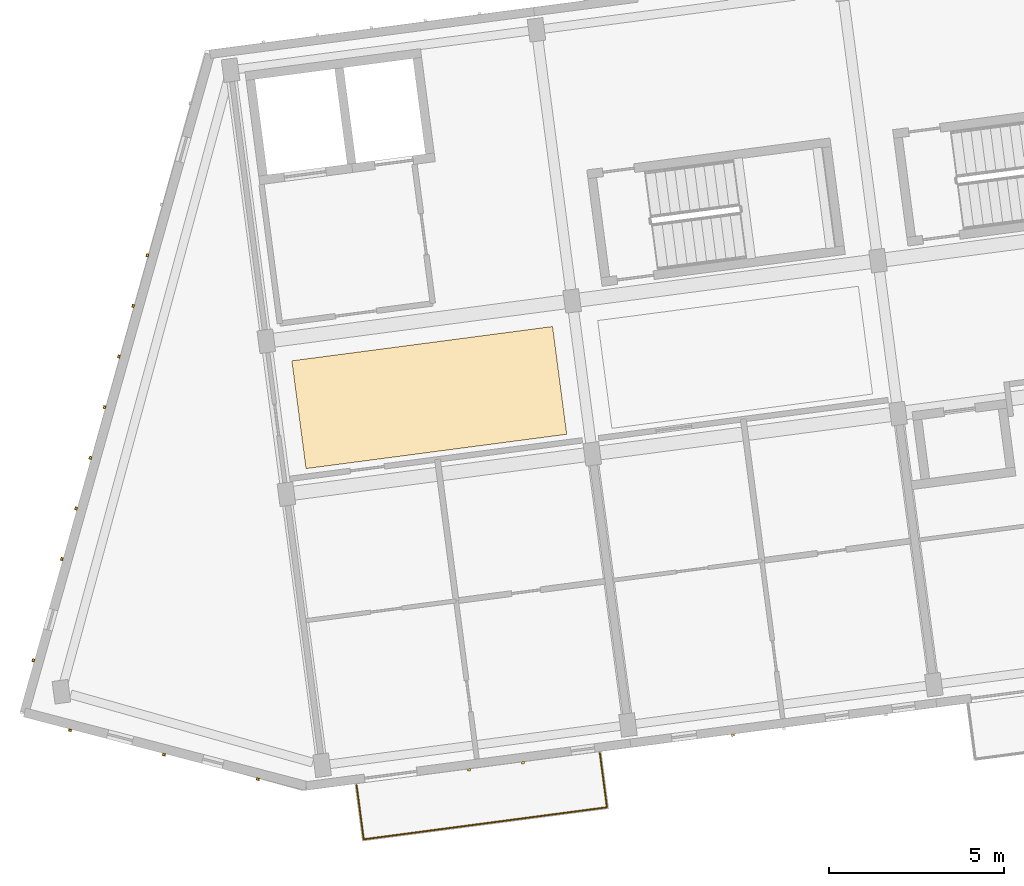
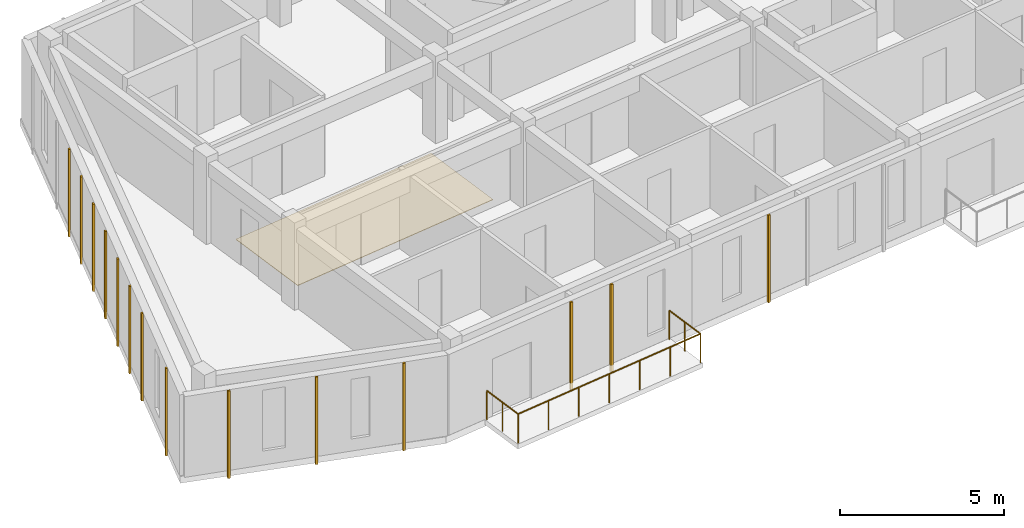
# One storey, part 10 of 16: 15 coverings, 1 railing.
"""IFC4 building model written with IfcOpenShell, lengths in metres."""

from ifc_helpers import new_model, si_unit, direction, frame, origin, origin_2d, place, context, subcontext, project, spatial, polyline, rectangle, circle, outline, extrude, material, layer, layer_set, type_object, element, save


model = new_model("IFC4")

# Units and contexts
model_context = context("Model", 3, precision=1e-05, world=origin(), true_north=direction((0.0, 1.0)))
body_context = subcontext(model_context, "Body", "Model", "MODEL_VIEW")
ifc_project = project(units=[si_unit("LENGTHUNIT", "METRE"), si_unit("AREAUNIT", "SQUARE_METRE"), si_unit("VOLUMEUNIT", "CUBIC_METRE"), si_unit("PLANEANGLEUNIT", "RADIAN"), si_unit("MASSUNIT", "GRAM", prefix="KILO")], contexts=[model_context])

# Site, building, storey
site_placement = place(None, origin())
site = spatial("IfcSite", under=ifc_project, at=site_placement, CompositionType="ELEMENT")
building_placement = place(site_placement, origin())
building = spatial("IfcBuilding", under=site, at=building_placement, Name="Kestramere Prow Commons", CompositionType="ELEMENT")
storey_placement = place(building_placement, frame((0.0, 0.0, 40.89990234375)))
storey = spatial("IfcBuildingStorey", under=building, at=storey_placement, Name="L12", CompositionType="ELEMENT", Elevation=40.89990234375)

# Coverings
ifc_material_1 = material(Name="Weathered Zinc-Titanium Standing-Seam Cladding")
ifc_layer_1 = layer(ifc_material_1, 0.074951171875)
ifc_layer_set_1 = layer_set([ifc_layer_1], Name="Weathered Zinc-Titanium Standing-Seam Cladding")
covering_type_1 = type_object("IfcCoveringType", Name="COV-CLAD-SEAM", PredefinedType="CLADDING", material=ifc_layer_set_1)
for number, where, z_axis, x_axis, name in (
    (1, (16.931396484375, 72.0712890625, -0.25), (0.0, 0.0, 1.0), (-0.991444861374, -0.13052619222, 0.0), "EW-A-L12-S-0 Standing-Seam Rib 2"),
    (2, (15.390625, 71.868408203125, -0.25), (0.0, 0.0, 1.0), (-0.991444861374, -0.13052619222, 0.0), "EW-A-L12-S-0 Standing-Seam Rib 3"),
    (3, (22.92138671875, 72.85986328125, -0.25), (0.0, 0.0, 1.0), (-0.991444861374, -0.13052619222, 0.0), "EW-A-L12-S-1 Standing-Seam Rib 4"),
    (4, (9.367431640625, 71.602783203125, -0.25), (0.0, 0.0, 1.0), (-0.96769817096, 0.252111582281, 0.0), "EW-A-L12-PRW-S Standing-Seam Rib 1"),
    (5, (6.6884765625, 72.300537109375, -0.25), (0.0, 0.0, 1.0), (-0.96769817096, 0.252111582281, 0.0), "EW-A-L12-PRW-S Standing-Seam Rib 3"),
    (6, (4.009521484375, 72.99853515625, -0.25), (0.0, 0.0, 1.0), (-0.96769817096, 0.252111582281, 0.0), "EW-A-L12-PRW-S Standing-Seam Rib 5"),
    (7, (2.96142578125, 74.9931640625, -0.25), (0.0, 0.0, 1.0), (0.271159911526, 0.962534312314, 0.0), "EW-A-L12-PRW-N Standing-Seam Rib 1"),
    (8, (3.775146484375, 77.8818359375, -0.25), (0.0, 0.0, 1.0), (0.271159911526, 0.962534312314, 0.0), "EW-A-L12-PRW-N Standing-Seam Rib 3"),
    (9, (4.18212890625, 79.326171875, -0.25), (0.0, 0.0, 1.0), (0.271159911526, 0.962534312314, 0.0), "EW-A-L12-PRW-N Standing-Seam Rib 4"),
    (10, (4.5888671875, 80.7705078125, -0.25), (0.0, 0.0, 1.0), (0.271159911526, 0.962534312314, 0.0), "EW-A-L12-PRW-N Standing-Seam Rib 5"),
    (11, (4.995849609375, 82.21484375, -0.25), (0.0, 0.0, 1.0), (0.271159911526, 0.962534312314, 0.0), "EW-A-L12-PRW-N Standing-Seam Rib 6"),
    (12, (5.40283203125, 83.6591796875, -0.25), (0.0, 0.0, 1.0), (0.271159911526, 0.962534312314, 0.0), "EW-A-L12-PRW-N Standing-Seam Rib 7"),
    (13, (5.8095703125, 85.103271484375, -0.25), (0.0, 0.0, 1.0), (0.271159911526, 0.962534312314, 0.0), "EW-A-L12-PRW-N Standing-Seam Rib 8"),
    (14, (6.216552734375, 86.547607421875, -0.25), (0.0, 0.0, 1.0), (0.271159911526, 0.962534312314, 0.0), "EW-A-L12-PRW-N Standing-Seam Rib 9"),
):
    element("IfcCovering", number, at=place(storey_placement, frame(where, z_axis=z_axis, x_axis=x_axis)), inside=storey, type_object=covering_type_1, Name=name, PredefinedType="CLADDING", context=body_context, shape_type="SweptSolid", body=[
        extrude(rectangle(XDim=0.0849609375, YDim=0.06494140625, at=origin_2d()), origin(), (0.0, 0.0, 1.0), 3.25),
    ])
ifc_material_2 = material(Name="Honed Cementitious Terrazzo Tile")
ifc_layer_2 = layer(ifc_material_2, 0.02001953125)
ifc_layer_set_2 = layer_set([ifc_layer_2], Name="Honed Cementitious Terrazzo Tile")
covering_type_2 = type_object("IfcCoveringType", Name="COV-FLOOR-TERRAZZO", PredefinedType="FLOORING", material=ifc_layer_set_2)
covering_placement = place(storey_placement, origin())
element("IfcCovering", 15, at=covering_placement, inside=storey, type_object=covering_type_2, Name="Block A L12 Corridor Terrazzo Flooring 1", PredefinedType="FLOORING", context=body_context, shape_type="SweptSolid", body=[
    extrude(outline(polyline([(10.741455078125, 80.462646484375), (18.17724609375, 81.44140625), (17.772705078125, 84.514892578125), (10.3369140625, 83.5361328125), (10.741455078125, 80.462646484375)])), origin(), (0.0, 0.0, 1.0), 0.02001953125),
])

# Railing
ifc_material_3 = material(Name="Powder-Coated Aluminium 6063-T6", Category="aluminium")
railing_type = type_object("IfcRailingType", Name="GRD-BALC-1100", PredefinedType="BALUSTRADE", material=ifc_material_3)
railing_placement = place(storey_placement, frame((12.182373046875, 71.433349609375, 0.0)))
element("IfcRailing", 16, at=railing_placement, inside=storey, type_object=railing_type, Name="Block A L12 Balcony Guardrail 1", PredefinedType="BALUSTRADE", context=body_context, shape_type="SweptSolid", body=[
    extrude(circle(Radius=0.02392578125, at=origin_2d()), frame((0.0, 0.0, 1.076171875), z_axis=(0.130523335136, -0.991445237512, 0.0), x_axis=(0.991445237512, 0.130523335136, 0.0)), (0.0, 0.0, 1.0), 1.56005859375),
    extrude(circle(Radius=0.02392578125, at=origin_2d()), frame((0.20361328125, -1.546630859375, 1.076171875), z_axis=(0.991447052715, 0.13050954625, 0.0), x_axis=(-0.13050954625, 0.991447052715, 0.0)), (0.0, 0.0, 1.0), 7.0),
    extrude(circle(Radius=0.02392578125, at=origin_2d()), frame((7.143798828125, -0.633056640625, 1.076171875), z_axis=(-0.130503085734, 0.991447903127, 0.0), x_axis=(-0.991447903127, -0.130503085734, 0.0)), (0.0, 0.0, 1.0), 1.560302734375),
    extrude(circle(Radius=0.02099609375, at=origin_2d()), origin(), (0.0, 0.0, 1.0), 1.052001953125),
    extrude(circle(Radius=0.02099609375, at=origin_2d()), frame((0.101806640625, -0.7734375, 0.0)), (0.0, 0.0, 1.0), 1.052001953125),
    extrude(circle(Radius=0.02099609375, at=origin_2d()), frame((0.20361328125, -1.546630859375, 0.0)), (0.0, 0.0, 1.0), 1.052001953125),
    extrude(circle(Radius=0.02099609375, at=origin_2d()), frame((1.3603515625, -1.394287109375, 0.0)), (0.0, 0.0, 1.0), 1.052001953125),
    extrude(circle(Radius=0.02099609375, at=origin_2d()), frame((2.51708984375, -1.2421875, 0.0)), (0.0, 0.0, 1.0), 1.052001953125),
    extrude(circle(Radius=0.02099609375, at=origin_2d()), frame((3.673828125, -1.08984375, 0.0)), (0.0, 0.0, 1.0), 1.052001953125),
    extrude(circle(Radius=0.02099609375, at=origin_2d()), frame((4.830322265625, -0.9375, 0.0)), (0.0, 0.0, 1.0), 1.052001953125),
    extrude(circle(Radius=0.02099609375, at=origin_2d()), frame((5.987060546875, -0.785400390625, 0.0)), (0.0, 0.0, 1.0), 1.052001953125),
    extrude(circle(Radius=0.02099609375, at=origin_2d()), frame((7.143798828125, -0.633056640625, 0.0)), (0.0, 0.0, 1.0), 1.052001953125),
    extrude(circle(Radius=0.02099609375, at=origin_2d()), frame((7.0419921875, 0.140380859375, 0.0)), (0.0, 0.0, 1.0), 1.052001953125),
    extrude(circle(Radius=0.02099609375, at=origin_2d()), frame((6.940185546875, 0.913818359375, 0.0)), (0.0, 0.0, 1.0), 1.052001953125),
])

save(model, "model.ifc")
